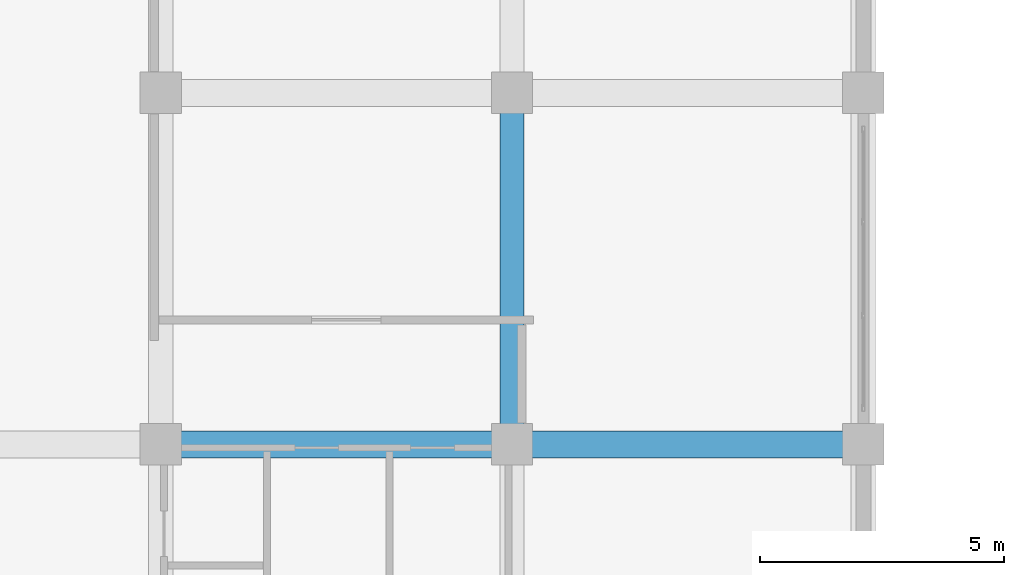
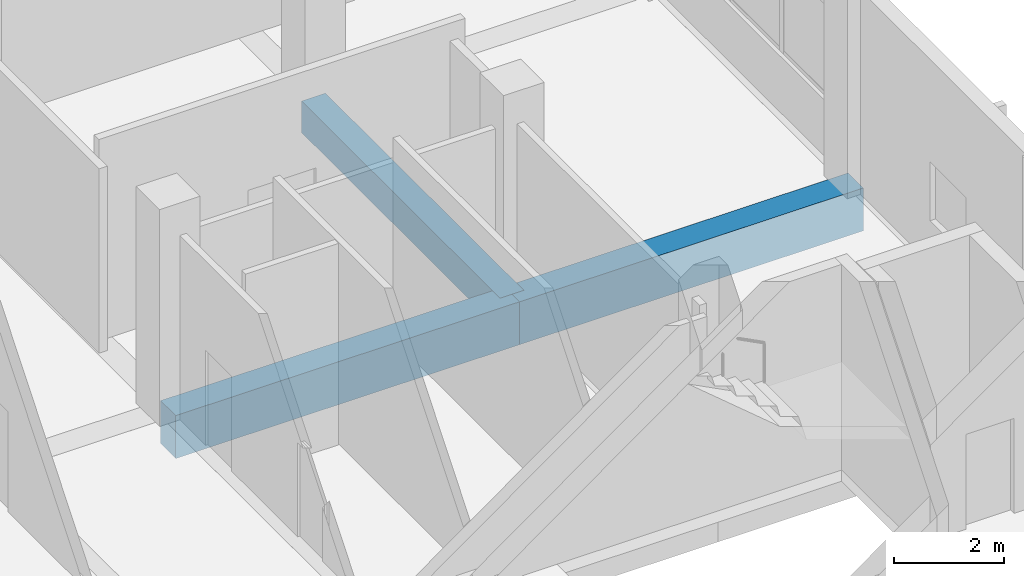
# One storey, part 27 of 181: 3 beams.
"""IFC4 building model written with IfcOpenShell, lengths in metres."""

from ifc_helpers import new_model, si_unit, direction, frame, origin, origin_2d, place, context, subcontext, project, spatial, rectangle, extrude, material, material_profile, profile_set, type_object, element, save


model = new_model("IFC4")

# Units and contexts
model_context = context("Model", 3, precision=1e-05, world=origin(), true_north=direction((0.0, 1.0)))
body_context = subcontext(model_context, "Body", "Model", "MODEL_VIEW")
ifc_project = project(units=[si_unit("LENGTHUNIT", "METRE"), si_unit("AREAUNIT", "SQUARE_METRE"), si_unit("VOLUMEUNIT", "CUBIC_METRE"), si_unit("PLANEANGLEUNIT", "RADIAN"), si_unit("MASSUNIT", "GRAM", prefix="KILO")], contexts=[model_context])

# Site, building, storey
site_placement = place(None, origin())
site = spatial("IfcSite", under=ifc_project, at=site_placement, CompositionType="ELEMENT")
building_placement = place(site_placement, origin())
building = spatial("IfcBuilding", under=site, at=building_placement, Name="Seraya Terrace Polytechnic", CompositionType="ELEMENT")
storey_placement = place(building_placement, frame((0.0, 0.0, 4.800048828125)))
storey = spatial("IfcBuildingStorey", under=building, at=storey_placement, Name="L01", CompositionType="ELEMENT", Elevation=4.800048828125)

# Beams
ifc_material = material(Name="Concrete C40/50", Category="concrete")
ifc_material_profile_1 = material_profile(ifc_material, rectangle(XDim=0.550048828125, YDim=0.949951171875, at=origin_2d()), Name="RC 550x950")
ifc_profile_set_1 = profile_set([ifc_material_profile_1], Name="Concrete C40/50")
beam_type_1 = type_object("IfcBeamType", Name="BM-03", PredefinedType="BEAM", material=ifc_profile_set_1)
for number, where, z_axis, x_axis, name in (
    (1, (28.800048828125, 50.39990234375, -0.47509765625), (1.0, 0.0, 0.0), (0.0, 1.0, 0.0), "Beam BM-03 L01 X (28.8..36.0, 50.4)"),
    (2, (36.0, 50.39990234375, -0.47509765625), (1.0, 0.0, 0.0), (0.0, 1.0, 0.0), "Beam BM-03 L01 X (36.0..43.2, 50.4)"),
):
    element("IfcBeam", number, at=place(storey_placement, frame(where, z_axis=z_axis, x_axis=x_axis)), inside=storey, type_object=beam_type_1, Name=name, PredefinedType="BEAM", context=body_context, shape_type="SweptSolid", body=[
        extrude(rectangle(XDim=0.550048828125, YDim=0.949951171875, at=origin_2d()), origin(), (0.0, 0.0, 1.0), 7.199951171875),
    ])
ifc_material_profile_2 = material_profile(ifc_material, rectangle(XDim=0.5, YDim=0.699951171875, at=origin_2d()), Name="RC 500x700")
ifc_profile_set_2 = profile_set([ifc_material_profile_2], Name="Concrete C40/50")
beam_type_2 = type_object("IfcBeamType", Name="BM-07", PredefinedType="BEAM", material=ifc_profile_set_2)
beam_placement = place(storey_placement, frame((36.0, 50.39990234375, -0.35009765625), z_axis=(0.0, 1.0, 0.0), x_axis=(-1.0, 0.0, 0.0)))
element("IfcBeam", 3, at=beam_placement, inside=storey, type_object=beam_type_2, Name="Beam BM-07 L01 Y (36.0, 50.4..57.6)", PredefinedType="BEAM", context=body_context, shape_type="SweptSolid", body=[
    extrude(rectangle(XDim=0.5, YDim=0.699951171875, at=origin_2d()), origin(), (0.0, 0.0, 1.0), 7.2001953125),
])

save(model, "model.ifc")
